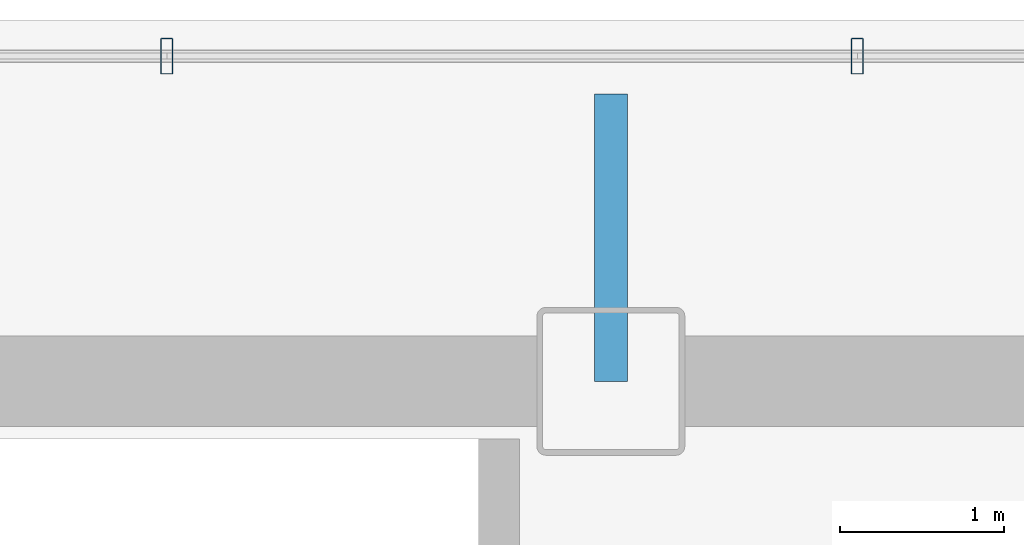
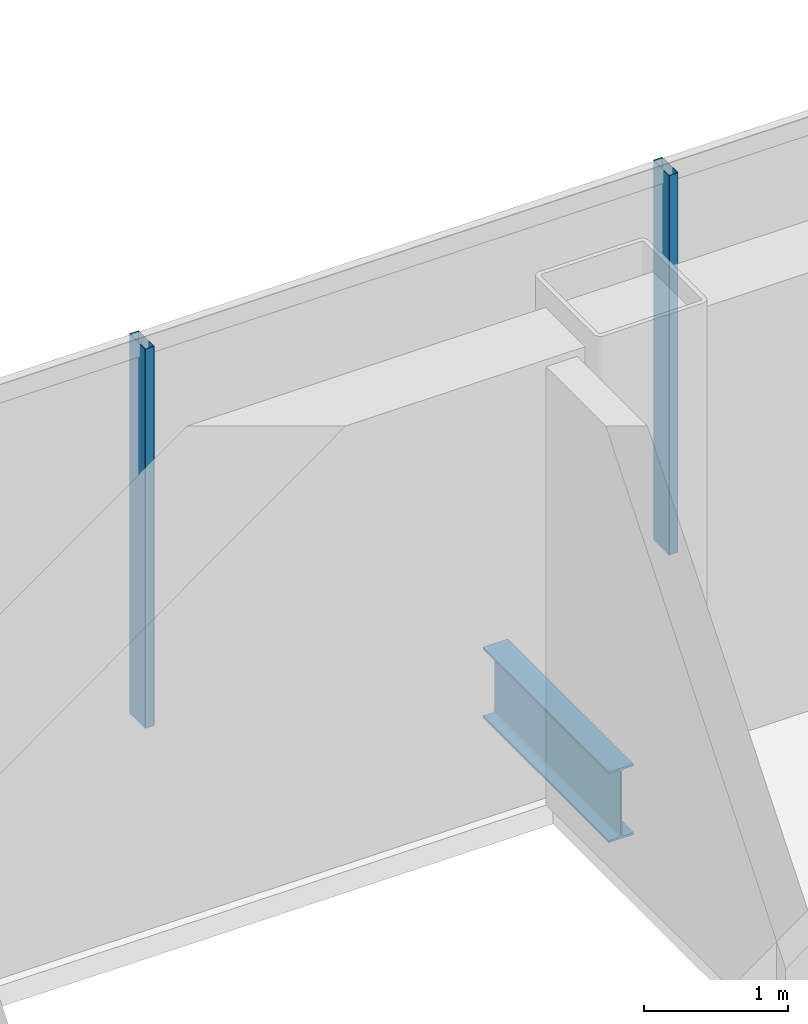
# One storey, part 9 of 20: 2 members, 1 beam, 1 element without a shape of its own.
"""IFC4 building model written with IfcOpenShell, lengths in metres."""

from ifc_helpers import new_model, si_unit, direction, frame, origin, origin_2d, place, context, subcontext, project, spatial, hollow_rectangle, i_section, extrude, material, material_profile, profile_set, type_object, element, aggregate, save


model = new_model("IFC4")

# Units and contexts
model_context = context("Model", 3, precision=1e-05, world=origin(), true_north=direction((0.0, 1.0)))
body_context = subcontext(model_context, "Body", "Model", "MODEL_VIEW")
ifc_project = project(units=[si_unit("LENGTHUNIT", "METRE"), si_unit("AREAUNIT", "SQUARE_METRE"), si_unit("VOLUMEUNIT", "CUBIC_METRE"), si_unit("PLANEANGLEUNIT", "RADIAN"), si_unit("MASSUNIT", "GRAM", prefix="KILO")], contexts=[model_context])

# Site, building, storey
site_placement = place(None, origin())
site = spatial("IfcSite", under=ifc_project, at=site_placement, CompositionType="ELEMENT")
building_placement = place(site_placement, origin())
building = spatial("IfcBuilding", under=site, at=building_placement, Name="Noeulbin Bourse Tower", CompositionType="ELEMENT")
storey_placement = place(building_placement, frame((0.0, 0.0, 118.800048828125)))
storey = spatial("IfcBuildingStorey", under=building, at=storey_placement, Name="L29", CompositionType="ELEMENT", Elevation=118.800048828125)

# Beam
ifc_material_1 = material(Name="Steel S355", Category="steel")
ifc_material_profile_1 = material_profile(ifc_material_1, i_section(OverallWidth=0.199951171875, OverallDepth=0.60009765625, WebThickness=0.010986328125, FlangeThickness=0.01708984375, FilletRadius=0.02197265625, at=origin_2d()), Name="H-600x200x11x17", Category="LoadBearing")
ifc_profile_set_1 = profile_set([ifc_material_profile_1], Name="Steel S355")
beam_type = type_object("IfcBeamType", Name="BM-GRD-600", PredefinedType="USERDEFINED", material=ifc_profile_set_1)
beam_placement = place(storey_placement, frame((24.0, 38.300048828125, -0.47998046875), z_axis=(0.0, 1.0, 0.0), x_axis=(-1.0, 0.0, 0.0)))
element("IfcBeam", 1, at=beam_placement, inside=storey, type_object=beam_type, Name="Tower Primary Girder NS L29-2.4", ObjectType="GIRDER", PredefinedType="USERDEFINED", context=body_context, shape_type="SweptSolid", body=[
    extrude(i_section(OverallWidth=0.199951171875, OverallDepth=0.60009765625, WebThickness=0.010986328125, FlangeThickness=0.01708984375, FilletRadius=0.02197265625, at=origin_2d()), origin(), (0.0, 0.0, 1.0), 1.75),
])

# Curtain wall, members
ifc_material_2 = material(Name="Dark Tinted Triple Glazing", Category="glass")
curtain_wall_type = type_object("IfcCurtainWallType", Name="CW-SYS-3", PredefinedType="NOTDEFINED", material=ifc_material_2)
curtain_wall_placement = place(storey_placement, origin())
curtain_wall = element("IfcCurtainWall", 2, at=curtain_wall_placement, inside=storey, type_object=curtain_wall_type, Name="Unitised Curtain Wall CW-L29-N", PredefinedType="NOTDEFINED")
ifc_material_3 = material(Name="Anodised Aluminium 6063-T6", Category="aluminium")
ifc_material_profile_2 = material_profile(ifc_material_3, hollow_rectangle(XDim=0.074951171875, YDim=0.219970703125, WallThickness=0.0048828125, InnerFilletRadius=0.00244140625, OuterFilletRadius=0.0048828125, at=origin_2d()), Name="ALU-MULL-75x220x5", Category="LoadBearing")
ifc_profile_set_2 = profile_set([ifc_material_profile_2], Name="Anodised Aluminium 6063-T6")
member_type = type_object("IfcMemberType", Name="CW-SYS-3-MUL", PredefinedType="MULLION", material=ifc_profile_set_2)
member_1_placement = place(storey_placement, frame((21.2958984375, 40.280029296875, -0.02001953125), z_axis=(0.0, 0.0, 1.0), x_axis=(1.0, 0.0, 0.0)))
member_1 = element("IfcMember", 3, at=member_1_placement, type_object=member_type, Name="Curtain Wall Mullion CW-L29-N-M04", PredefinedType="MULLION", context=body_context, shape_type="SweptSolid", body=[
    extrude(hollow_rectangle(XDim=0.074951171875, YDim=0.219970703125, WallThickness=0.0048828125, InnerFilletRadius=0.00244140625, OuterFilletRadius=0.0048828125, at=origin_2d()), origin(), (0.0, 0.0, 1.0), 3.219970703125),
])
member_2_placement = place(storey_placement, frame((25.5, 40.280029296875, -0.02001953125), z_axis=(0.0, 0.0, 1.0), x_axis=(1.0, 0.0, 0.0)))
member_2 = element("IfcMember", 4, at=member_2_placement, type_object=member_type, Name="Curtain Wall Mullion CW-L29-N-M05", PredefinedType="MULLION", context=body_context, shape_type="SweptSolid", body=[
    extrude(hollow_rectangle(XDim=0.074951171875, YDim=0.219970703125, WallThickness=0.0048828125, InnerFilletRadius=0.00244140625, OuterFilletRadius=0.0048828125, at=origin_2d()), origin(), (0.0, 0.0, 1.0), 3.219970703125),
])
aggregate(curtain_wall, [member_1, member_2])

save(model, "model.ifc")
